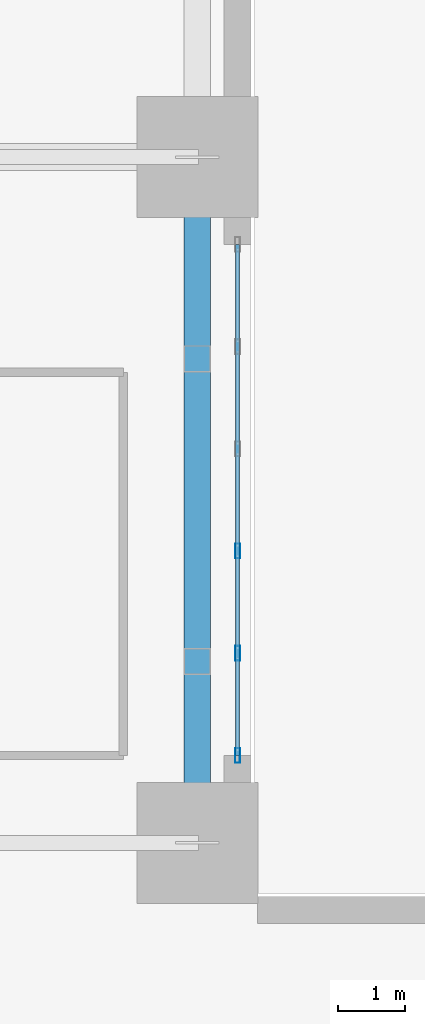
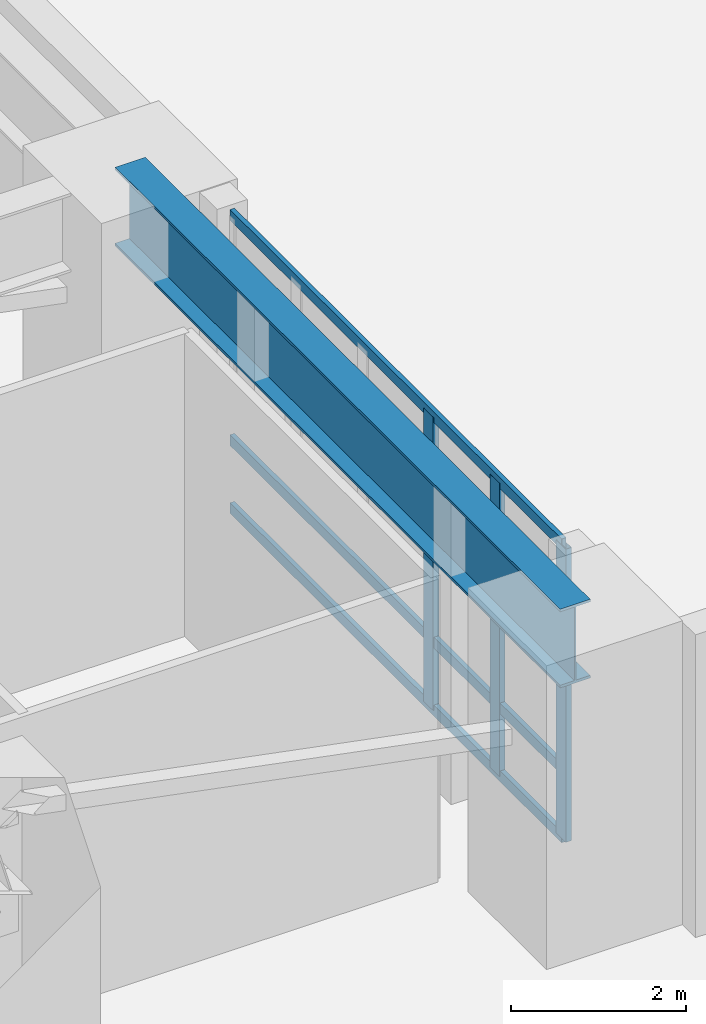
# One storey, part 6 of 23: 6 members, 1 beam, 1 element without a shape of its own.
"""IFC4 building model written with IfcOpenShell, lengths in metres."""

from ifc_helpers import new_model, si_unit, direction, frame, origin, origin_2d, place, context, subcontext, project, spatial, hollow_rectangle, i_section, extrude, source, transform, mapped, material, layer, layer_set, material_profile, profile_set, type_object, element, aggregate, save


model = new_model("IFC4")

# Units and contexts
model_context = context("Model", 3, precision=1e-05, world=origin(), true_north=direction((0.0, 1.0)))
body_context = subcontext(model_context, "Body", "Model", "MODEL_VIEW")
ifc_project = project(units=[si_unit("LENGTHUNIT", "METRE"), si_unit("AREAUNIT", "SQUARE_METRE"), si_unit("VOLUMEUNIT", "CUBIC_METRE"), si_unit("PLANEANGLEUNIT", "RADIAN"), si_unit("MASSUNIT", "GRAM", prefix="KILO")], contexts=[model_context])

# Site, building, storey
site_placement = place(None, origin())
site = spatial("IfcSite", under=ifc_project, at=site_placement, CompositionType="ELEMENT")
building_placement = place(site_placement, origin())
building = spatial("IfcBuilding", under=site, at=building_placement, Name="Kharzan Plaza Tower", CompositionType="ELEMENT")
storey_placement = place(building_placement, origin())
storey = spatial("IfcBuildingStorey", under=building, at=storey_placement, Name="L00", CompositionType="ELEMENT", Elevation=0.0)

# Beam
ifc_material_1 = material(Name="Steel S355", Category="steel")
ifc_material_profile_1 = material_profile(ifc_material_1, i_section(OverallWidth=0.39990234375, OverallDepth=1.10009765625, WebThickness=0.02001953125, FlangeThickness=0.035888671875, at=origin_2d()), Name="W1100x390")
ifc_profile_set_1 = profile_set([ifc_material_profile_1], Name="Steel S355")
beam_type = type_object("IfcBeamType", Name="BM-PG1100B", PredefinedType="BEAM", material=ifc_profile_set_1)
shared_shape_1 = source(origin(), body_context, "Body", "SweptSolid", [
    extrude(i_section(OverallWidth=0.39990234375, OverallDepth=1.10009765625, WebThickness=0.02001953125, FlangeThickness=0.035888671875, at=origin_2d()), origin(), (0.0, 0.0, 1.0), 10.199951171875),
])
beam_placement = place(storey_placement, frame((26.699951171875, 26.800048828125, 3.699951171875), z_axis=(0.0, 1.0, 0.0), x_axis=(-1.0, 0.0, 0.0)))
element("IfcBeam", 1, at=beam_placement, inside=storey, type_object=beam_type, Name="L00 Podium Primary Girder PG-32", PredefinedType="BEAM", context=body_context, shape_type="MappedRepresentation", body=[
    mapped(shared_shape_1, transform((0.0, 0.0, 0.0), x_axis=(1.0, 0.0, 0.0), y_axis=(0.0, 1.0, 0.0), z_axis=(0.0, 0.0, 1.0))),
])

# Curtain wall, members
ifc_material_2 = material(Name="Unitised Bronze-Anodized Aluminium and Low-E Glass", Category="aluminium")
ifc_layer = layer(ifc_material_2, 0.199951171875)
ifc_layer_set = layer_set([ifc_layer], Name="Unitised Bronze-Anodized Aluminium and Low-E Glass")
curtain_wall_type = type_object("IfcCurtainWallType", Name="CW-PLAZA-2", PredefinedType="NOTDEFINED", material=ifc_layer_set)
curtain_wall_placement = place(storey_placement, origin())
curtain_wall = element("IfcCurtainWall", 2, at=curtain_wall_placement, inside=storey, type_object=curtain_wall_type, Name="L00 Plaza Oculus Colonnade Vestibule Curtain Wall", PredefinedType="NOTDEFINED")
ifc_material_3 = material(Name="Anodized Bronze Aluminium", Category="aluminium")
ifc_material_profile_2 = material_profile(ifc_material_3, hollow_rectangle(XDim=0.074951171875, YDim=0.219970703125, WallThickness=0.00390625, at=origin_2d()), Name="ALU-M220x75x4")
ifc_profile_set_2 = profile_set([ifc_material_profile_2], Name="Anodized Bronze Aluminium")
member_type_1 = type_object("IfcMemberType", Name="MEM-CW-MUL200", PredefinedType="MULLION", material=ifc_profile_set_2)
shared_shape_2 = source(origin(), body_context, "Body", "SweptSolid", [
    extrude(hollow_rectangle(XDim=0.074951171875, YDim=0.219970703125, WallThickness=0.00390625, at=origin_2d()), origin(), (0.0, 0.0, 1.0), 4.10009765625),
])
member_1_placement = place(storey_placement, frame((27.300048828125, 28.10009765625, 0.0), z_axis=(0.0, 0.0, 1.0), x_axis=(1.0, 0.0, 0.0)))
member_1 = element("IfcMember", 3, at=member_1_placement, type_object=member_type_1, Name="L00 Curtain-Wall Mullion 00", PredefinedType="MULLION", context=body_context, shape_type="MappedRepresentation", body=[
    mapped(shared_shape_2, transform((0.0, 0.0, 0.0), x_axis=(1.0, 0.0, 0.0), y_axis=(0.0, 1.0, 0.0), z_axis=(0.0, 0.0, 1.0))),
])
member_2_placement = place(storey_placement, frame((27.300048828125, 29.6201171875, 0.0), z_axis=(0.0, 0.0, 1.0), x_axis=(1.0, 0.0, 0.0)))
member_2 = element("IfcMember", 4, at=member_2_placement, type_object=member_type_1, Name="L00 Curtain-Wall Mullion 01", PredefinedType="MULLION", context=body_context, shape_type="MappedRepresentation", body=[
    mapped(shared_shape_2, transform((0.0, 0.0, 0.0), x_axis=(1.0, 0.0, 0.0), y_axis=(0.0, 1.0, 0.0), z_axis=(0.0, 0.0, 1.0))),
])
member_3_placement = place(storey_placement, frame((27.300048828125, 31.139892578125, 0.0), z_axis=(0.0, 0.0, 1.0), x_axis=(1.0, 0.0, 0.0)))
member_3 = element("IfcMember", 5, at=member_3_placement, type_object=member_type_1, Name="L00 Curtain-Wall Mullion 02", PredefinedType="MULLION", context=body_context, shape_type="MappedRepresentation", body=[
    mapped(shared_shape_2, transform((0.0, 0.0, 0.0), x_axis=(1.0, 0.0, 0.0), y_axis=(0.0, 1.0, 0.0), z_axis=(0.0, 0.0, 1.0))),
])
ifc_material_profile_3 = material_profile(ifc_material_3, hollow_rectangle(XDim=0.06005859375, YDim=0.14990234375, WallThickness=0.00341796875, at=origin_2d()), Name="ALU-T150x60x3.5")
ifc_profile_set_3 = profile_set([ifc_material_profile_3], Name="Anodized Bronze Aluminium")
member_type_2 = type_object("IfcMemberType", Name="MEM-CW-TRN150", PredefinedType="USERDEFINED", material=ifc_profile_set_3)
shared_shape_3 = source(origin(), body_context, "Body", "SweptSolid", [
    extrude(hollow_rectangle(XDim=0.06005859375, YDim=0.14990234375, WallThickness=0.00341796875, at=origin_2d()), origin(), (0.0, 0.0, 1.0), 7.599853515625),
])
member_4_placement = place(storey_placement, frame((27.300048828125, 28.10009765625, 0.0), z_axis=(0.0, 1.0, 0.0), x_axis=(-1.0, 0.0, 0.0)))
member_4 = element("IfcMember", 6, at=member_4_placement, type_object=member_type_2, Name="L00 Curtain-Wall Transom 1", ObjectType="TRANSOM", PredefinedType="USERDEFINED", context=body_context, shape_type="MappedRepresentation", body=[
    mapped(shared_shape_3, transform((0.0, 0.0, 0.0), x_axis=(1.0, 0.0, 0.0), y_axis=(0.0, 1.0, 0.0), z_axis=(0.0, 0.0, 1.0))),
])
member_5_placement = place(storey_placement, frame((27.300048828125, 28.10009765625, 0.949951171875), z_axis=(0.0, 1.0, 0.0), x_axis=(-1.0, 0.0, 0.0)))
member_5 = element("IfcMember", 7, at=member_5_placement, type_object=member_type_2, Name="L00 Curtain-Wall Transom 2", ObjectType="TRANSOM", PredefinedType="USERDEFINED", context=body_context, shape_type="MappedRepresentation", body=[
    mapped(shared_shape_3, transform((0.0, 0.0, 0.0), x_axis=(1.0, 0.0, 0.0), y_axis=(0.0, 1.0, 0.0), z_axis=(0.0, 0.0, 1.0))),
])
member_6_placement = place(storey_placement, frame((27.300048828125, 28.10009765625, 4.10009765625), z_axis=(0.0, 1.0, 0.0), x_axis=(-1.0, 0.0, 0.0)))
member_6 = element("IfcMember", 8, at=member_6_placement, type_object=member_type_2, Name="L00 Curtain-Wall Transom 3", ObjectType="TRANSOM", PredefinedType="USERDEFINED", context=body_context, shape_type="MappedRepresentation", body=[
    mapped(shared_shape_3, transform((0.0, 0.0, 0.0), x_axis=(1.0, 0.0, 0.0), y_axis=(0.0, 1.0, 0.0), z_axis=(0.0, 0.0, 1.0))),
])
aggregate(curtain_wall, [member_1, member_2, member_3, member_4, member_5, member_6])

save(model, "model.ifc")
